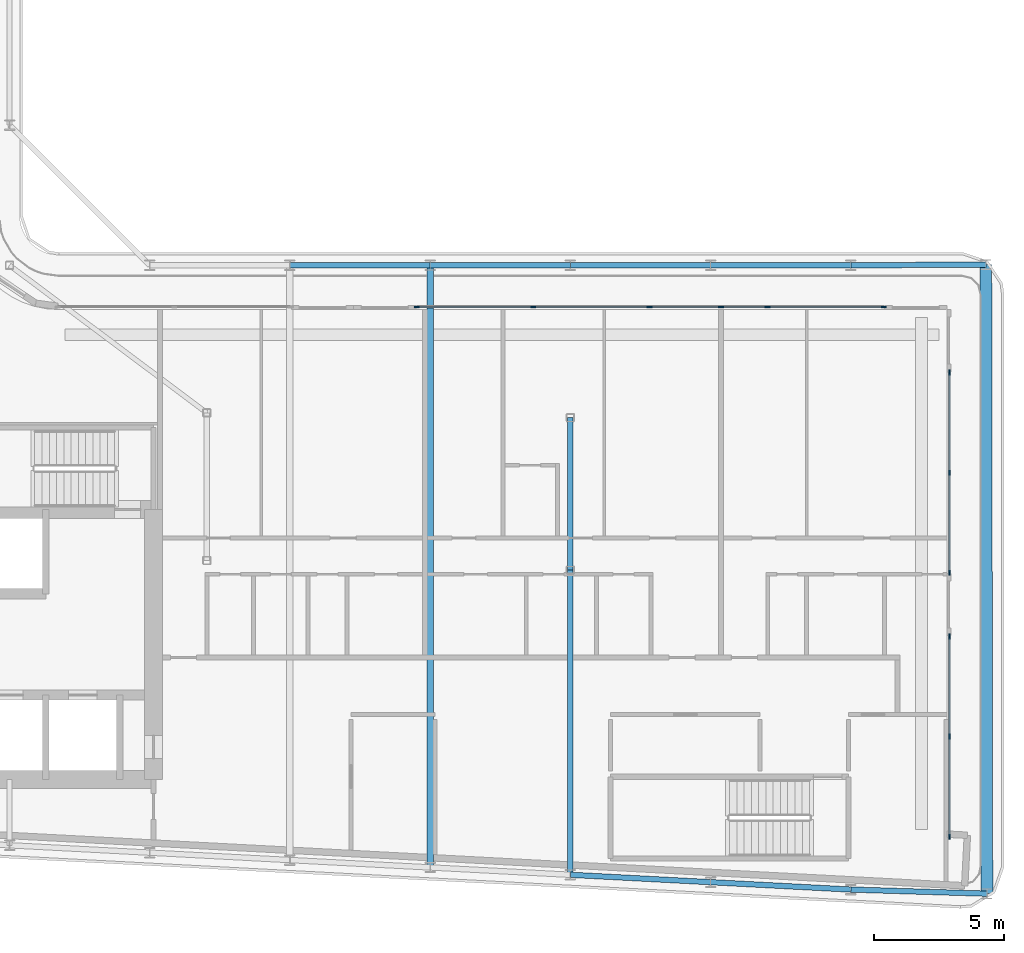
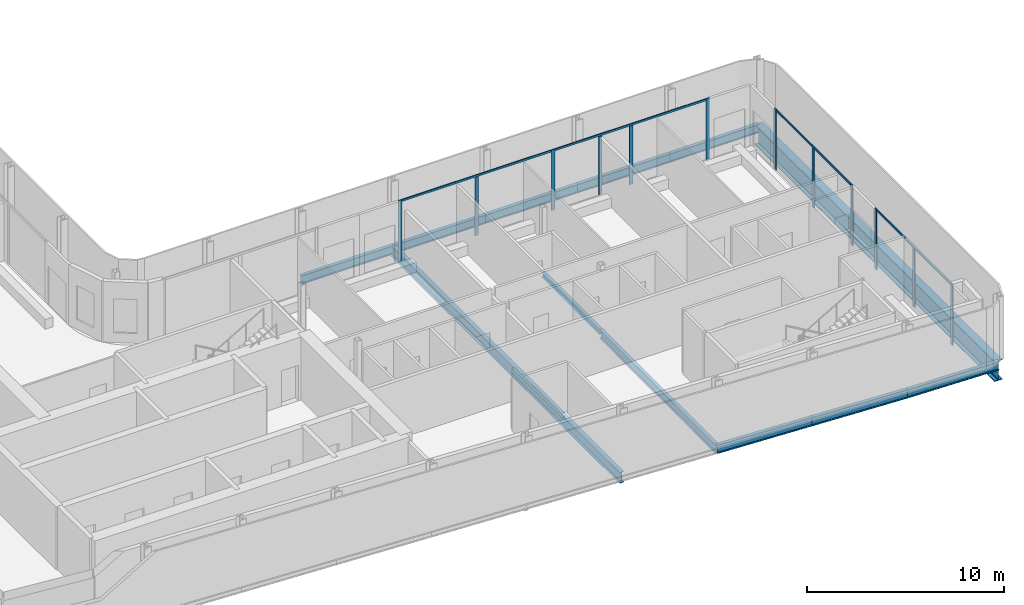
# One storey, part 5 of 22: 16 members, 12 beams, 4 elements without a shape of their own.
"""IFC4 building model written with IfcOpenShell, lengths in metres."""

import ifcopenshell
import ifcopenshell.guid

model = None  # the IFC model being written
_history = None  # IfcOwnerHistory: only IFC2X3 demands one
_inside = {}  # id of a spatial element -> (the spatial element, [elements in it])
_under = {}  # id of a project, library or spatial element -> (it, [spatial elements below it])
_declared = {}  # id of a project -> (the project, [libraries it declares])
_typed = {}  # id of a type object -> (the type object, [elements of that type])
_made_of = {}  # id of a material, layer set ... -> (it, [elements and type objects made of it])


def new_model(schema):
    """Start an empty IFC model of exactly this schema.

    Asked for "IFC4X3", IfcOpenShell would pick the latest addendum, in which some entities
    have other attributes; the version numbers below select the first issue.
    IFC2X3 requires an IfcOwnerHistory on every rooted entity: one is made here for all.
    """
    global model, _history
    if schema == "IFC4X3":
        model = ifcopenshell.file(schema_version=(4, 3, 0, 0))
    else:
        model = ifcopenshell.file(schema=schema)
    _inside.clear()
    _under.clear()
    _declared.clear()
    _typed.clear()
    _made_of.clear()
    _history = None
    if model.schema == "IFC2X3":
        org = make("IfcOrganization", Name="unknown")
        user = make(
            "IfcPersonAndOrganization",
            ThePerson=make("IfcPerson", FamilyName="unknown"),
            TheOrganization=org,
        )
        app = make(
            "IfcApplication",
            ApplicationDeveloper=org,
            Version="unknown",
            ApplicationFullName="unknown",
            ApplicationIdentifier="unknown",
        )
        _history = make(
            "IfcOwnerHistory",
            OwningUser=user,
            OwningApplication=app,
            ChangeAction="ADDED",
            CreationDate=0,
        )
    return model


def make(cls, **values):
    """One entity of the class cls with the attributes given. An attribute that is None is left unset."""
    return model.create_entity(
        cls, **{name: value for name, value in values.items() if value is not None}
    )


def rooted(cls, **values):
    """An entity with a GlobalId (a new one), such as an element, a storey or a relation."""
    return make(cls, GlobalId=ifcopenshell.guid.new(), OwnerHistory=_history, **values)


def si_unit(unit_type, name, prefix=None):
    """IfcSIUnit, for example si_unit("LENGTHUNIT", "METRE", prefix="MILLI")."""
    return make("IfcSIUnit", UnitType=unit_type, Prefix=prefix, Name=name)


def assignment(units):
    """IfcUnitAssignment: the units of a project."""
    return None if units is None else make("IfcUnitAssignment", Units=units)


def point(xyz):
    """IfcCartesianPoint."""
    return None if xyz is None else make("IfcCartesianPoint", Coordinates=xyz)


def direction(xyz):
    """IfcDirection."""
    return None if xyz is None else make("IfcDirection", DirectionRatios=xyz)


def frame(location, z_axis=None, x_axis=None):
    """IfcAxis2Placement3D, a coordinate frame: its origin and axes. An axis left out is left unset."""
    return make(
        "IfcAxis2Placement3D",
        Location=point(location),
        Axis=direction(z_axis),
        RefDirection=direction(x_axis),
    )


def frame_2d(location, x_axis=None):
    """IfcAxis2Placement2D, a coordinate frame in the plane: its origin and x axis."""
    return make(
        "IfcAxis2Placement2D", Location=point(location), RefDirection=direction(x_axis)
    )


def origin():
    """The frame at (0, 0, 0) with its axes left unset."""
    return frame((0.0, 0.0, 0.0))


def origin_2d():
    """The frame at (0, 0) in the plane with its x axis left unset."""
    return frame_2d((0.0, 0.0))


def place(relative_to, where):
    """IfcLocalPlacement: puts the frame where relative to a parent placement (None: the world)."""
    return make(
        "IfcLocalPlacement", PlacementRelTo=relative_to, RelativePlacement=where
    )


def context(
    kind, dimensions, precision=None, world=None, true_north=None, identifier=None
):
    """IfcGeometricRepresentationContext, for example the 3D "Model" context."""
    return make(
        "IfcGeometricRepresentationContext",
        ContextIdentifier=identifier,
        ContextType=kind,
        CoordinateSpaceDimension=dimensions,
        Precision=precision,
        WorldCoordinateSystem=world,
        TrueNorth=true_north,
    )


def subcontext(parent, identifier, kind, view, scale=None):
    """IfcGeometricRepresentationSubContext, for example "Body" below "Model"."""
    return make(
        "IfcGeometricRepresentationSubContext",
        ContextIdentifier=identifier,
        ContextType=kind,
        ParentContext=parent,
        TargetScale=scale,
        TargetView=view,
    )


def project(units=None, contexts=None):
    """IfcProject with its units and contexts."""
    return rooted(
        "IfcProject",
        Name="project",
        RepresentationContexts=contexts,
        UnitsInContext=assignment(units),
    )


def spatial(cls, under=None, at=None, **own):
    """A site, building, storey or space (cls), placed at a placement, below another one or the project."""
    s = rooted(cls, ObjectPlacement=at, **own)
    if under is not None:
        _under.setdefault(under.id(), (under, []))[1].append(s)
    return s


def profile(cls, at=None, kind="AREA", **sizes):
    """A parametric profile (cls). Its sizes go by their IFC names, for example OverallWidth=200.0."""
    return make(cls, ProfileType=kind, Position=at, **sizes)


def rectangle(**sizes):
    """IfcRectangleProfileDef."""
    return profile("IfcRectangleProfileDef", **sizes)


def i_section(**sizes):
    """IfcIShapeProfileDef."""
    return profile("IfcIShapeProfileDef", **sizes)


def extrude(swept, where, along, depth):
    """IfcExtrudedAreaSolid: the profile swept, set in the frame where, extruded along a direction by depth."""
    return make(
        "IfcExtrudedAreaSolid",
        SweptArea=swept,
        Position=where,
        ExtrudedDirection=direction(along),
        Depth=depth,
    )


def shape(context_of_items, identifier, shape_type, items):
    """IfcShapeRepresentation: the items that make up one representation, for example the "Body"."""
    return make(
        "IfcShapeRepresentation",
        ContextOfItems=context_of_items,
        RepresentationIdentifier=identifier,
        RepresentationType=shape_type,
        Items=items,
    )


def material(Name=None, Category=None):
    """IfcMaterial."""
    return make("IfcMaterial", Name=Name, Category=Category)


def layer(
    of_material, thickness, ventilated=None, Name=None, Category=None, Priority=None
):
    """IfcMaterialLayer: one layer of a wall or slab, of a material (None: an air gap)."""
    return make(
        "IfcMaterialLayer",
        Material=of_material,
        LayerThickness=thickness,
        IsVentilated=ventilated,
        Name=Name,
        Category=Category,
        Priority=Priority,
    )


def layer_set(layers, Name=None):
    """IfcMaterialLayerSet."""
    return make("IfcMaterialLayerSet", MaterialLayers=layers, LayerSetName=Name)


def material_profile(
    of_material, cross_section, Name=None, Category=None, Priority=None
):
    """IfcMaterialProfile: a cross section and its material."""
    return make(
        "IfcMaterialProfile",
        Name=Name,
        Material=of_material,
        Profile=cross_section,
        Priority=Priority,
        Category=Category,
    )


def profile_set(profiles, Name=None, composite=None):
    """IfcMaterialProfileSet."""
    return make(
        "IfcMaterialProfileSet",
        Name=Name,
        MaterialProfiles=profiles,
        CompositeProfile=composite,
    )


def made_of(thing, what):
    """Note that an element or type object is made of a material, layer set ...; save() writes the relation."""
    if what is not None:
        _made_of.setdefault(what.id(), (what, []))[1].append(thing)
    return thing


def type_object(cls, material=None, **own):
    """A type object (cls), such as IfcWallType, which elements share."""
    return made_of(rooted(cls, **own), material)


def element(
    cls,
    number,
    at=None,
    inside=None,
    cuts=None,
    type_object=None,
    material=None,
    context=None,
    identifier="Body",
    shape_type=None,
    held_by="IfcProductDefinitionShape",
    body=None,
    shapes=None,
    **own,
):
    """One element of the class cls, such as IfcWall. Its Tag is "e" and its number.

    at: its placement. inside: the storey or other place that contains it. cuts: it is an
    opening in that element (IfcRelVoidsElement). A single representation is given by context,
    identifier, shape_type and body (its items); several are given by shapes. held_by: the class
    of the entity that holds the representations. save() writes the other relations.
    """
    e = rooted(cls, Tag="e%d" % number, ObjectPlacement=at, **own)
    if body is not None:
        shapes = [shape(context, identifier, shape_type, body)]
    if shapes is not None:
        e.Representation = make(held_by, Representations=shapes)
    if inside is not None:
        _inside.setdefault(inside.id(), (inside, []))[1].append(e)
    if cuts is not None:
        rooted(
            "IfcRelVoidsElement", RelatingBuildingElement=cuts, RelatedOpeningElement=e
        )
    if type_object is not None:
        _typed.setdefault(type_object.id(), (type_object, []))[1].append(e)
    return made_of(e, material)


def aggregate(whole, parts):
    """IfcRelAggregates: a whole, such as a stair, and the parts it consists of."""
    return rooted("IfcRelAggregates", RelatingObject=whole, RelatedObjects=parts)


def save(model, path):
    """Write the relations noted so far, then the file.

    IfcRelAggregates (storeys below a building ...), IfcRelContainedInSpatialStructure (elements
    in a storey), IfcRelDefinesByType, IfcRelAssociatesMaterial and IfcRelDeclares: one each for
    every whole, place, type object, material and project.
    """
    for whole, parts in _under.values():
        aggregate(whole, parts)
    for where, things in _inside.values():
        rooted(
            "IfcRelContainedInSpatialStructure",
            RelatedElements=things,
            RelatingStructure=where,
        )
    for kind, things in _typed.values():
        rooted("IfcRelDefinesByType", RelatedObjects=things, RelatingType=kind)
    for what, things in _made_of.values():
        rooted("IfcRelAssociatesMaterial", RelatedObjects=things, RelatingMaterial=what)
    for by, libraries in _declared.values():
        rooted("IfcRelDeclares", RelatingContext=by, RelatedDefinitions=libraries)
    model.write(path)


model = new_model("IFC4")

# Units and contexts
model_context = context("Model", 3, precision=1e-05, world=origin(), true_north=direction((0.0, 1.0)))
body_context = subcontext(model_context, "Body", "Model", "MODEL_VIEW")
ifc_project = project(units=[si_unit("LENGTHUNIT", "METRE"), si_unit("AREAUNIT", "SQUARE_METRE"), si_unit("VOLUMEUNIT", "CUBIC_METRE"), si_unit("PLANEANGLEUNIT", "RADIAN"), si_unit("MASSUNIT", "GRAM", prefix="KILO")], contexts=[model_context])

# Site, building, storey
site_placement = place(None, origin())
site = spatial("IfcSite", under=ifc_project, at=site_placement, CompositionType="ELEMENT")
building_placement = place(site_placement, origin())
building = spatial("IfcBuilding", under=site, at=building_placement, Name="Kheshtan School and Residences Tower", CompositionType="ELEMENT")
storey_placement = place(building_placement, frame((0.0, 0.0, 251.300048828125)))
storey = spatial("IfcBuildingStorey", under=building, at=storey_placement, Name="L59", CompositionType="ELEMENT", Elevation=251.300048828125)

# Beams
ifc_material_1 = material(Name="Steel ASTM A992 Grade 50", Category="steel")
ifc_material_profile_1 = material_profile(ifc_material_1, i_section(OverallWidth=0.202880859375, OverallDepth=0.302978515625, WebThickness=0.007568359375, FlangeThickness=0.01318359375, FilletRadius=0.009033203125, at=origin_2d()), Name="W310x60")
ifc_profile_set_1 = profile_set([ifc_material_profile_1], Name="Steel ASTM A992 Grade 50")
beam_type_1 = type_object("IfcBeamType", Name="Beam FB1 W310x60 ASTM A992 Grade 50", PredefinedType="BEAM", material=ifc_profile_set_1)
beam_1_placement = place(storey_placement, frame((69.199951171875, 33.863037109375, -0.301513671875), z_axis=(0.0, 1.0, 0.0), x_axis=(-1.0, 0.0, 0.0)))
element("IfcBeam", 1, at=beam_1_placement, inside=storey, type_object=beam_type_1, Name="Floor beam IC", PredefinedType="BEAM", context=body_context, shape_type="SweptSolid", body=[
    extrude(i_section(OverallWidth=0.202880859375, OverallDepth=0.302978515625, WebThickness=0.007568359375, FlangeThickness=0.01318359375, FilletRadius=0.009033203125, at=origin_2d()), origin(), (0.0, 0.0, 1.0), 5.868896484375),
])
ifc_material_profile_2 = material_profile(ifc_material_1, i_section(OverallWidth=0.208984375, OverallDepth=0.532958984375, WebThickness=0.01025390625, FlangeThickness=0.015625, FilletRadius=0.013916015625, at=origin_2d()), Name="W530x92")
ifc_profile_set_2 = profile_set([ifc_material_profile_2], Name="Steel ASTM A992 Grade 50")
beam_type_2 = type_object("IfcBeamType", Name="Beam FB4 W530x92 ASTM A992 Grade 50", PredefinedType="BEAM", material=ifc_profile_set_2)
beam_2_placement = place(storey_placement, frame((69.199951171875, 22.126953125, -0.41650390625), z_axis=(0.0, 1.0, 0.0), x_axis=(-1.0, 0.0, 0.0)))
element("IfcBeam", 2, at=beam_2_placement, inside=storey, type_object=beam_type_2, Name="Floor beam C014", PredefinedType="BEAM", context=body_context, shape_type="SweptSolid", body=[
    extrude(i_section(OverallWidth=0.208984375, OverallDepth=0.532958984375, WebThickness=0.01025390625, FlangeThickness=0.015625, FilletRadius=0.013916015625, at=origin_2d()), origin(), (0.0, 0.0, 1.0), 11.736083984375),
])
ifc_material_profile_3 = material_profile(ifc_material_1, i_section(OverallWidth=0.2529296875, OverallDepth=0.677978515625, WebThickness=0.01171875, FlangeThickness=0.016357421875, FilletRadius=0.0146484375, at=origin_2d()), Name="W690x125")
ifc_profile_set_3 = profile_set([ifc_material_profile_3], Name="Steel ASTM A992 Grade 50")
beam_type_3 = type_object("IfcBeamType", Name="Beam FB6 W690x125 ASTM A992 Grade 50", PredefinedType="BEAM", material=ifc_profile_set_3)
beam_3_placement = place(storey_placement, frame((63.800048828125, 45.60009765625, -0.489013671875), z_axis=(0.0, -1.0, 0.0), x_axis=(1.0, 0.0, 0.0)))
element("IfcBeam", 3, at=beam_3_placement, inside=storey, type_object=beam_type_3, Name="Floor beam C063", PredefinedType="BEAM", context=body_context, shape_type="SweptSolid", body=[
    extrude(i_section(OverallWidth=0.2529296875, OverallDepth=0.677978515625, WebThickness=0.01171875, FlangeThickness=0.016357421875, FilletRadius=0.0146484375, at=origin_2d()), origin(), (0.0, 0.0, 1.0), 23.189208984375),
])
ifc_material_profile_4 = material_profile(ifc_material_1, i_section(OverallWidth=0.208984375, OverallDepth=0.532958984375, WebThickness=0.01025390625, FlangeThickness=0.015625, FilletRadius=0.013916015625, at=origin_2d()), Name="W530x92")
ifc_profile_set_4 = profile_set([ifc_material_profile_4], Name="Steel ASTM A992 Grade 50")
beam_type_4 = type_object("IfcBeamType", Name="Beam SP3 W530x92 ASTM A992 Grade 50", PredefinedType="BEAM", material=ifc_profile_set_4)
beam_4_placement = place(storey_placement, frame((58.39990234375, 45.60009765625, -0.41650390625), z_axis=(1.0, 0.0, 0.0), x_axis=(0.0, 1.0, 0.0)))
element("IfcBeam", 4, at=beam_4_placement, inside=storey, type_object=beam_type_4, Name="Spandrel beam C062-C063", PredefinedType="BEAM", context=body_context, shape_type="SweptSolid", body=[
    extrude(i_section(OverallWidth=0.208984375, OverallDepth=0.532958984375, WebThickness=0.01025390625, FlangeThickness=0.015625, FilletRadius=0.013916015625, at=origin_2d()), origin(), (0.0, 0.0, 1.0), 5.400146484375),
])
beam_5_placement = place(storey_placement, frame((63.800048828125, 45.60009765625, -0.41650390625), z_axis=(1.0, 0.0, 0.0), x_axis=(0.0, 1.0, 0.0)))
element("IfcBeam", 5, at=beam_5_placement, inside=storey, type_object=beam_type_4, Name="Spandrel beam C063-C064", PredefinedType="BEAM", context=body_context, shape_type="SweptSolid", body=[
    extrude(i_section(OverallWidth=0.208984375, OverallDepth=0.532958984375, WebThickness=0.01025390625, FlangeThickness=0.015625, FilletRadius=0.013916015625, at=origin_2d()), origin(), (0.0, 0.0, 1.0), 5.39990234375),
])
beam_6_placement = place(storey_placement, frame((69.199951171875, 45.60009765625, -0.41650390625), z_axis=(1.0, 0.0, 0.0), x_axis=(0.0, 1.0, 0.0)))
element("IfcBeam", 6, at=beam_6_placement, inside=storey, type_object=beam_type_4, Name="Spandrel beam C064-C065", PredefinedType="BEAM", context=body_context, shape_type="SweptSolid", body=[
    extrude(i_section(OverallWidth=0.208984375, OverallDepth=0.532958984375, WebThickness=0.01025390625, FlangeThickness=0.015625, FilletRadius=0.013916015625, at=origin_2d()), origin(), (0.0, 0.0, 1.0), 5.400146484375),
])
beam_7_placement = place(storey_placement, frame((74.60009765625, 45.60009765625, -0.41650390625), z_axis=(1.0, 0.0, 0.0), x_axis=(0.0, 1.0, 0.0)))
element("IfcBeam", 7, at=beam_7_placement, inside=storey, type_object=beam_type_4, Name="Spandrel beam C065-C066", PredefinedType="BEAM", context=body_context, shape_type="SweptSolid", body=[
    extrude(i_section(OverallWidth=0.208984375, OverallDepth=0.532958984375, WebThickness=0.01025390625, FlangeThickness=0.015625, FilletRadius=0.013916015625, at=origin_2d()), origin(), (0.0, 0.0, 1.0), 5.39990234375),
])
beam_8_placement = place(storey_placement, frame((80.0, 45.60009765625, -0.41650390625), z_axis=(0.999985687161, 0.005350277765, 0.0), x_axis=(-0.005350277765, 0.999985687161, 0.0)))
element("IfcBeam", 8, at=beam_8_placement, inside=storey, type_object=beam_type_4, Name="Spandrel beam C066-C076", PredefinedType="BEAM", context=body_context, shape_type="SweptSolid", body=[
    extrude(i_section(OverallWidth=0.208984375, OverallDepth=0.532958984375, WebThickness=0.01025390625, FlangeThickness=0.015625, FilletRadius=0.013916015625, at=origin_2d()), origin(), (0.0, 0.0, 1.0), 5.201904296875),
])
beam_9_placement = place(storey_placement, frame((85.243896484375, 21.39990234375, -0.41650390625), z_axis=(-0.999545226068, 0.030155282206, 0.0), x_axis=(-0.030155282206, -0.999545226068, 0.0)))
element("IfcBeam", 9, at=beam_9_placement, inside=storey, type_object=beam_type_4, Name="Spandrel beam C011-C012", PredefinedType="BEAM", context=body_context, shape_type="SweptSolid", body=[
    extrude(i_section(OverallWidth=0.208984375, OverallDepth=0.532958984375, WebThickness=0.01025390625, FlangeThickness=0.015625, FilletRadius=0.013916015625, at=origin_2d()), origin(), (0.0, 0.0, 1.0), 5.246337890625),
])
beam_10_placement = place(storey_placement, frame((80.0, 21.55810546875, -0.41650390625), z_axis=(-0.998610961136, 0.052689166816, 0.0), x_axis=(-0.052689166816, -0.998610961136, 0.0)))
element("IfcBeam", 10, at=beam_10_placement, inside=storey, type_object=beam_type_4, Name="Spandrel beam C012-C013", PredefinedType="BEAM", context=body_context, shape_type="SweptSolid", body=[
    extrude(i_section(OverallWidth=0.208984375, OverallDepth=0.532958984375, WebThickness=0.01025390625, FlangeThickness=0.015625, FilletRadius=0.013916015625, at=origin_2d()), origin(), (0.0, 0.0, 1.0), 5.407470703125),
])
beam_11_placement = place(storey_placement, frame((74.60009765625, 21.843017578125, -0.41650390625), z_axis=(-0.998620571751, 0.05250670125, 0.0), x_axis=(-0.05250670125, -0.998620571751, 0.0)))
element("IfcBeam", 11, at=beam_11_placement, inside=storey, type_object=beam_type_4, Name="Spandrel beam C013-C014", PredefinedType="BEAM", context=body_context, shape_type="SweptSolid", body=[
    extrude(i_section(OverallWidth=0.208984375, OverallDepth=0.532958984375, WebThickness=0.01025390625, FlangeThickness=0.015625, FilletRadius=0.013916015625, at=origin_2d()), origin(), (0.0, 0.0, 1.0), 5.40771484375),
])

# Curtain wall, members
ifc_material_2 = material(Name="Clear low-e glass in thermally broken aluminium frame", Category="aluminium")
ifc_layer = layer(ifc_material_2, 0.199951171875)
ifc_layer_set = layer_set([ifc_layer], Name="Curtain wall CW-L")
curtain_wall_type = type_object("IfcCurtainWallType", Name="Curtain wall CW-L", PredefinedType="NOTDEFINED", material=ifc_layer_set)
curtain_wall_1_placement = place(storey_placement, origin())
curtain_wall_1 = element("IfcCurtainWall", 12, at=curtain_wall_1_placement, inside=storey, type_object=curtain_wall_type, Name="Curtain wall CWL1231", PredefinedType="NOTDEFINED")
ifc_material_3 = material(Name="Thermally broken aluminium, dark bronze anodised", Category="aluminium")
ifc_material_profile_5 = material_profile(ifc_material_3, rectangle(XDim=0.06005859375, YDim=0.199951171875, at=origin_2d()), Name="CW-L mullion 60x200")
ifc_profile_set_5 = profile_set([ifc_material_profile_5], Name="Thermally broken aluminium, dark bronze anodised")
member_type_1 = type_object("IfcMemberType", Name="CW-L mullion 60x200", PredefinedType="MULLION", material=ifc_profile_set_5)
member_1_placement = place(storey_placement, frame((63.283447265625, 44.0, 0.0), z_axis=(0.0, 0.0, 1.0), x_axis=(0.0, 1.0, 0.0)))
member_1 = element("IfcMember", 13, at=member_1_placement, type_object=member_type_1, Name="CWL1231 mullion 1", PredefinedType="MULLION", context=body_context, shape_type="SweptSolid", body=[
    extrude(rectangle(XDim=0.06005859375, YDim=0.199951171875, at=origin_2d()), origin(), (0.0, 0.0, 1.0), 3.75),
])
member_2_placement = place(storey_placement, frame((67.764892578125, 44.0, 0.0), z_axis=(0.0, 0.0, 1.0), x_axis=(0.0, 1.0, 0.0)))
member_2 = element("IfcMember", 14, at=member_2_placement, type_object=member_type_1, Name="CWL1231 mullion 2", PredefinedType="MULLION", context=body_context, shape_type="SweptSolid", body=[
    extrude(rectangle(XDim=0.06005859375, YDim=0.199951171875, at=origin_2d()), origin(), (0.0, 0.0, 1.0), 3.6298828125),
])
member_3_placement = place(storey_placement, frame((72.24658203125, 44.0, 0.0), z_axis=(0.0, 0.0, 1.0), x_axis=(0.0, 1.0, 0.0)))
member_3 = element("IfcMember", 15, at=member_3_placement, type_object=member_type_1, Name="CWL1231 mullion 3", PredefinedType="MULLION", context=body_context, shape_type="SweptSolid", body=[
    extrude(rectangle(XDim=0.06005859375, YDim=0.199951171875, at=origin_2d()), origin(), (0.0, 0.0, 1.0), 3.75),
])

curtain_wall_2_placement = place(storey_placement, origin())
curtain_wall_2 = element("IfcCurtainWall", 16, at=curtain_wall_2_placement, inside=storey, type_object=curtain_wall_type, Name="Curtain wall CWL1228", PredefinedType="NOTDEFINED")
member_4_placement = place(storey_placement, frame((75.0, 44.0, 0.0), z_axis=(0.0, 0.0, 1.0), x_axis=(0.0, 1.0, 0.0)))
member_4 = element("IfcMember", 17, at=member_4_placement, type_object=member_type_1, Name="CWL1228 mullion 2", PredefinedType="MULLION", context=body_context, shape_type="SweptSolid", body=[
    extrude(rectangle(XDim=0.06005859375, YDim=0.199951171875, at=origin_2d()), origin(), (0.0, 0.0, 1.0), 3.6298828125),
])
member_5_placement = place(storey_placement, frame((76.788330078125, 44.0, 0.0), z_axis=(0.0, 0.0, 1.0), x_axis=(0.0, 1.0, 0.0)))
member_5 = element("IfcMember", 18, at=member_5_placement, type_object=member_type_1, Name="CWL1228 mullion 3", PredefinedType="MULLION", context=body_context, shape_type="SweptSolid", body=[
    extrude(rectangle(XDim=0.06005859375, YDim=0.199951171875, at=origin_2d()), origin(), (0.0, 0.0, 1.0), 3.6298828125),
])
member_6_placement = place(storey_placement, frame((81.27001953125, 44.0, 0.0), z_axis=(0.0, 0.0, 1.0), x_axis=(0.0, 1.0, 0.0)))
member_6 = element("IfcMember", 19, at=member_6_placement, type_object=member_type_1, Name="CWL1228 mullion 4", PredefinedType="MULLION", context=body_context, shape_type="SweptSolid", body=[
    extrude(rectangle(XDim=0.06005859375, YDim=0.199951171875, at=origin_2d()), origin(), (0.0, 0.0, 1.0), 3.75),
])

curtain_wall_3_placement = place(storey_placement, origin())
curtain_wall_3 = element("IfcCurtainWall", 20, at=curtain_wall_3_placement, inside=storey, type_object=curtain_wall_type, Name="Curtain wall CWL13c", PredefinedType="NOTDEFINED")
member_7_placement = place(storey_placement, frame((83.800048828125, 41.469970703125, 0.0), z_axis=(0.0, 0.0, 1.0), x_axis=(1.0, 0.0, 0.0)))
member_7 = element("IfcMember", 21, at=member_7_placement, type_object=member_type_1, Name="CWL13c mullion 1", PredefinedType="MULLION", context=body_context, shape_type="SweptSolid", body=[
    extrude(rectangle(XDim=0.06005859375, YDim=0.199951171875, at=origin_2d()), origin(), (0.0, 0.0, 1.0), 3.75),
])
member_8_placement = place(storey_placement, frame((83.800048828125, 37.61669921875, 0.0), z_axis=(0.0, 0.0, 1.0), x_axis=(1.0, 0.0, 0.0)))
member_8 = element("IfcMember", 22, at=member_8_placement, type_object=member_type_1, Name="CWL13c mullion 2", PredefinedType="MULLION", context=body_context, shape_type="SweptSolid", body=[
    extrude(rectangle(XDim=0.06005859375, YDim=0.199951171875, at=origin_2d()), origin(), (0.0, 0.0, 1.0), 3.6298828125),
])
member_9_placement = place(storey_placement, frame((83.800048828125, 33.763427734375, 0.0), z_axis=(0.0, 0.0, 1.0), x_axis=(1.0, 0.0, 0.0)))
member_9 = element("IfcMember", 23, at=member_9_placement, type_object=member_type_1, Name="CWL13c mullion 3", PredefinedType="MULLION", context=body_context, shape_type="SweptSolid", body=[
    extrude(rectangle(XDim=0.06005859375, YDim=0.199951171875, at=origin_2d()), origin(), (0.0, 0.0, 1.0), 3.75),
])

curtain_wall_4_placement = place(storey_placement, origin())
curtain_wall_4 = element("IfcCurtainWall", 24, at=curtain_wall_4_placement, inside=storey, type_object=curtain_wall_type, Name="Curtain wall CWL13c", PredefinedType="NOTDEFINED")
member_10_placement = place(storey_placement, frame((83.800048828125, 31.303466796875, 0.0), z_axis=(0.0, 0.0, 1.0), x_axis=(1.0, 0.0, 0.0)))
member_10 = element("IfcMember", 25, at=member_10_placement, type_object=member_type_1, Name="CWL13c mullion 1", PredefinedType="MULLION", context=body_context, shape_type="SweptSolid", body=[
    extrude(rectangle(XDim=0.06005859375, YDim=0.199951171875, at=origin_2d()), origin(), (0.0, 0.0, 1.0), 3.75),
])
member_11_placement = place(storey_placement, frame((83.800048828125, 27.4501953125, 0.0), z_axis=(0.0, 0.0, 1.0), x_axis=(1.0, 0.0, 0.0)))
member_11 = element("IfcMember", 26, at=member_11_placement, type_object=member_type_1, Name="CWL13c mullion 2", PredefinedType="MULLION", context=body_context, shape_type="SweptSolid", body=[
    extrude(rectangle(XDim=0.06005859375, YDim=0.199951171875, at=origin_2d()), origin(), (0.0, 0.0, 1.0), 3.6298828125),
])
member_12_placement = place(storey_placement, frame((83.800048828125, 23.596923828125, 0.0), z_axis=(0.0, 0.0, 1.0), x_axis=(1.0, 0.0, 0.0)))
member_12 = element("IfcMember", 27, at=member_12_placement, type_object=member_type_1, Name="CWL13c mullion 3", PredefinedType="MULLION", context=body_context, shape_type="SweptSolid", body=[
    extrude(rectangle(XDim=0.06005859375, YDim=0.199951171875, at=origin_2d()), origin(), (0.0, 0.0, 1.0), 3.75),
])

# Member
ifc_material_profile_6 = material_profile(ifc_material_3, rectangle(XDim=0.06005859375, YDim=0.1201171875, at=origin_2d()), Name="CW-L transom 60x120")
ifc_profile_set_6 = profile_set([ifc_material_profile_6], Name="Thermally broken aluminium, dark bronze anodised")
member_type_2 = type_object("IfcMemberType", Name="CW-L transom 60x120", PredefinedType="USERDEFINED", material=ifc_profile_set_6)
member_13_placement = place(storey_placement, frame((63.313232421875, 44.0, 3.68994140625), z_axis=(1.0, 0.0, 0.0), x_axis=(0.0, 1.0, 0.0)))
member_13 = element("IfcMember", 28, at=member_13_placement, type_object=member_type_2, Name="CWL1231 transom 1", ObjectType="TRANSOM", PredefinedType="USERDEFINED", context=body_context, shape_type="SweptSolid", body=[
    extrude(rectangle(XDim=0.06005859375, YDim=0.1201171875, at=origin_2d()), origin(), (0.0, 0.0, 1.0), 8.9033203125),
])

aggregate(curtain_wall_1, [member_1, member_2, member_3, member_13])

member_14_placement = place(storey_placement, frame((72.276611328125, 44.0, 3.68994140625), z_axis=(1.0, 0.0, 0.0), x_axis=(0.0, 1.0, 0.0)))
member_14 = element("IfcMember", 29, at=member_14_placement, type_object=member_type_2, Name="CWL1228 transom 1", ObjectType="TRANSOM", PredefinedType="USERDEFINED", context=body_context, shape_type="SweptSolid", body=[
    extrude(rectangle(XDim=0.06005859375, YDim=0.1201171875, at=origin_2d()), origin(), (0.0, 0.0, 1.0), 8.96337890625),
])

aggregate(curtain_wall_2, [member_4, member_5, member_6, member_14])

member_15_placement = place(storey_placement, frame((83.800048828125, 41.43994140625, 3.68994140625), z_axis=(0.0, -1.0, 0.0), x_axis=(1.0, 0.0, 0.0)))
member_15 = element("IfcMember", 30, at=member_15_placement, type_object=member_type_2, Name="CWL13c transom 1", ObjectType="TRANSOM", PredefinedType="USERDEFINED", context=body_context, shape_type="SweptSolid", body=[
    extrude(rectangle(XDim=0.06005859375, YDim=0.1201171875, at=origin_2d()), origin(), (0.0, 0.0, 1.0), 7.646484375),
])

aggregate(curtain_wall_3, [member_7, member_8, member_9, member_15])

member_16_placement = place(storey_placement, frame((83.800048828125, 31.2734375, 3.68994140625), z_axis=(0.0, -1.0, 0.0), x_axis=(1.0, 0.0, 0.0)))
member_16 = element("IfcMember", 31, at=member_16_placement, type_object=member_type_2, Name="CWL13c transom 1", ObjectType="TRANSOM", PredefinedType="USERDEFINED", context=body_context, shape_type="SweptSolid", body=[
    extrude(rectangle(XDim=0.06005859375, YDim=0.1201171875, at=origin_2d()), origin(), (0.0, 0.0, 1.0), 7.646484375),
])

aggregate(curtain_wall_4, [member_10, member_11, member_12, member_16])

# Beam
ifc_material_profile_7 = material_profile(ifc_material_1, i_section(OverallWidth=0.449951171875, OverallDepth=1.25, WebThickness=0.02490234375, FlangeThickness=0.044921875, FilletRadius=0.03759765625, at=origin_2d()), Name="WWF1250x546")
ifc_profile_set_7 = profile_set([ifc_material_profile_7], Name="Steel ASTM A992 Grade 50")
beam_type_5 = type_object("IfcBeamType", Name="Transfer girder TG4 WWF1250x546 ASTM A992 Grade 50", PredefinedType="BEAM", material=ifc_profile_set_7)
beam_12_placement = place(storey_placement, frame((85.201904296875, 45.6279296875, -0.775146484375), z_axis=(0.001733204434, -0.999998498, 0.0), x_axis=(0.999998498, 0.001733204434, 0.0)))
element("IfcBeam", 32, at=beam_12_placement, inside=storey, type_object=beam_type_5, Name="Transfer girder C076-C011", PredefinedType="BEAM", context=body_context, shape_type="SweptSolid", body=[
    extrude(i_section(OverallWidth=0.449951171875, OverallDepth=1.25, WebThickness=0.02490234375, FlangeThickness=0.044921875, FilletRadius=0.03759765625, at=origin_2d()), origin(), (0.0, 0.0, 1.0), 24.22802734375),
])

save(model, "model.ifc")
